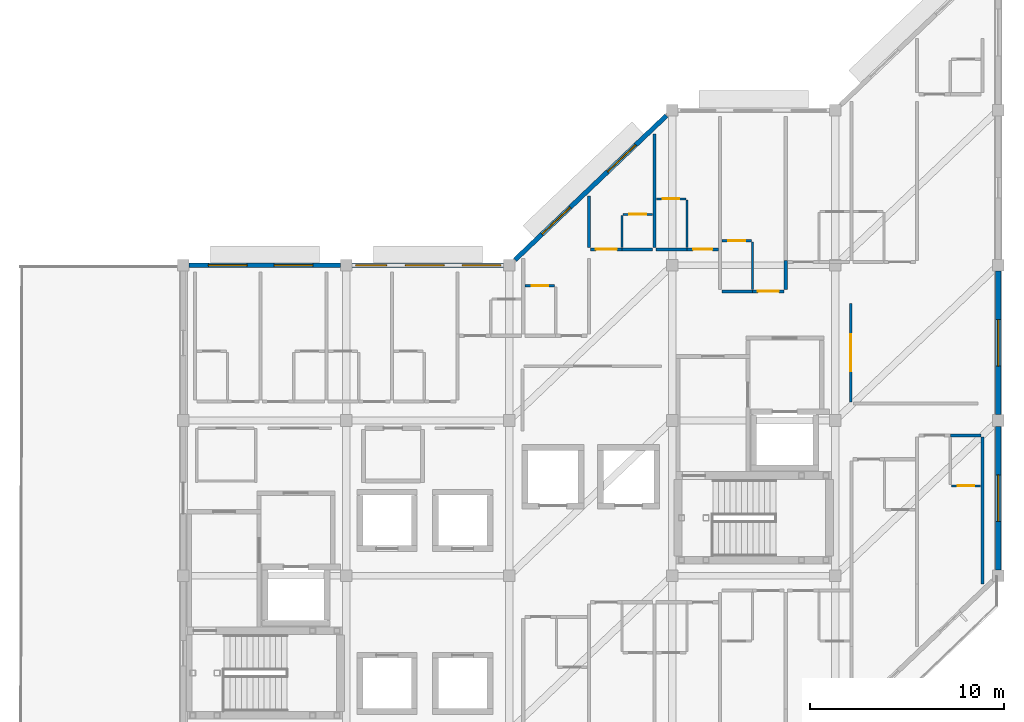
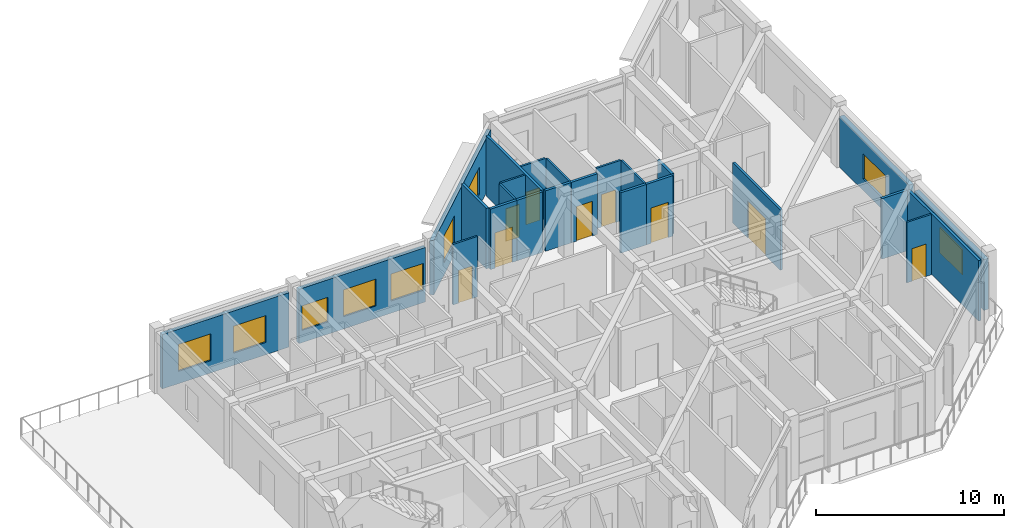
# One storey, part 9 of 13: 25 walls, 9 doors, 9 windows, 18 openings.
"""IFC4 building model written with IfcOpenShell, lengths in metres."""

from ifc_helpers import new_model, si_unit, direction, frame, frame_2d, origin, place, context, subcontext, project, spatial, rectangle, extrude, material, layer, layer_set, type_object, element, fill, save


model = new_model("IFC4")

# Units and contexts
model_context = context("Model", 3, precision=1e-05, world=origin(), true_north=direction((0.0, 1.0)))
body_context = subcontext(model_context, "Body", "Model", "MODEL_VIEW")
ifc_project = project(units=[si_unit("LENGTHUNIT", "METRE"), si_unit("AREAUNIT", "SQUARE_METRE"), si_unit("VOLUMEUNIT", "CUBIC_METRE"), si_unit("PLANEANGLEUNIT", "RADIAN"), si_unit("MASSUNIT", "GRAM", prefix="KILO")], contexts=[model_context])

# Site, building, storey
site_placement = place(None, origin())
site = spatial("IfcSite", under=ifc_project, at=site_placement, CompositionType="ELEMENT")
building_placement = place(site_placement, origin())
building = spatial("IfcBuilding", under=site, at=building_placement, Name="Naruveol Harbour Congress Hotel", CompositionType="ELEMENT")
storey_placement = place(building_placement, frame((0.0, 0.0, 43.199951171875)))
storey = spatial("IfcBuildingStorey", under=building, at=storey_placement, Name="L10", CompositionType="ELEMENT", Elevation=43.199951171875)

# Wall, opening, door
ifc_material_1 = material(Name="Acoustic Double Stud Gypsum", Category="gypsum")
ifc_layer_1 = layer(ifc_material_1, 0.139892578125)
ifc_layer_set_1 = layer_set([ifc_layer_1], Name="Acoustic Double Stud Gypsum")
wall_type_1 = type_object("IfcWallType", Name="ACOUSTIC MEETING PARTITION WALL 140", PredefinedType="PARTITIONING", material=ifc_layer_set_1)
wall_1_placement = place(storey_placement, frame((160.39990234375, 24.9599609375, 0.0), z_axis=(0.0, 0.0, 1.0), x_axis=(0.0, 1.0, 0.0)))
wall_1 = element("IfcWall", 1, at=wall_1_placement, inside=storey, type_object=wall_type_1, Name="Embassy Reception Salon west entry wall PW-140", PredefinedType="PARTITIONING", context=body_context, shape_type="SweptSolid", body=[
    extrude(rectangle(XDim=5.080078125, YDim=0.139892578125, at=frame_2d((2.5400390625, 0.0))), origin(), (0.0, 0.0, 1.0), 3.93505859375),
])
opening_1_placement = place(wall_1_placement, frame((1.590087890625, 0.0, 0.0)))
opening_1 = element("IfcOpeningElement", 2, at=opening_1_placement, cuts=wall_1, Name="Opening ID-LG-135", PredefinedType="OPENING", context=body_context, shape_type="SweptSolid", body=[
    extrude(rectangle(XDim=1.89990234375, YDim=2.39990234375, at=frame_2d((0.949951171875, 1.199951171875))), frame((0.0, 0.079833984375, 0.0), z_axis=(0.0, -1.0, 0.0), x_axis=(1.0, 0.0, 0.0)), (0.0, 0.0, 1.0), 0.159912109375),
])
ifc_material_2 = material(Name="Timber & Steel Acoustic Leaf", Category="steel")
door_type_1 = type_object("IfcDoorType", Name="RESTAURANT AND LOUNGE GLAZED DOOR 1900X2400", OperationType="DOUBLE_DOOR_SINGLE_SWING", PredefinedType="DOOR", material=ifc_material_2)
door_1_placement = place(opening_1_placement, origin())
door_1 = element("IfcDoor", 3, at=door_1_placement, inside=storey, type_object=door_type_1, Name="Embassy Reception Salon Entrance Door", OperationType="DOUBLE_DOOR_SINGLE_SWING", OverallHeight=2.39990234375, OverallWidth=1.89990234375, PredefinedType="DOOR", context=body_context, shape_type="SweptSolid", body=[
    extrude(rectangle(XDim=1.89990234375, YDim=2.39990234375, at=frame_2d((0.949951171875, 1.199951171875))), frame((0.0, 0.02490234375, 0.0), z_axis=(0.0, -1.0, 0.0), x_axis=(1.0, 0.0, 0.0)), (0.0, 0.0, 1.0), 0.050048828125),
])
fill(opening_1, door_1)

# Wall, opening, window
ifc_material_3 = material(Name="Precast concrete C40/50", Category="concrete")
ifc_layer_2 = layer(ifc_material_3, 0.280029296875)
ifc_layer_set_2 = layer_set([ifc_layer_2], Name="Precast concrete C40/50")
wall_type_2 = type_object("IfcWallType", Name="ARCHITECTURAL PRECAST FACADE WALL 280", PredefinedType="SOLIDWALL", material=ifc_layer_set_2)
wall_2_placement = place(storey_placement, frame((168.0, 31.699951171875, 0.0), z_axis=(0.0, 0.0, 1.0), x_axis=(0.0, -1.0, 0.0)))
wall_2 = element("IfcWall", 4, at=wall_2_placement, inside=storey, type_object=wall_type_2, Name="Hotel east gable wall L10 EW-280", PredefinedType="SOLIDWALL", context=body_context, shape_type="SweptSolid", body=[
    extrude(rectangle(XDim=7.39990234375, YDim=0.280029296875, at=frame_2d((3.699951171875, 0.0))), origin(), (0.0, 0.0, 1.0), 3.300048828125),
])
opening_2_placement = place(wall_2_placement, frame((2.5, 0.0, 0.75)))
opening_2 = element("IfcOpeningElement", 5, at=opening_2_placement, cuts=wall_2, Name="Opening W-07", PredefinedType="OPENING", context=body_context, shape_type="SweptSolid", body=[
    extrude(rectangle(XDim=2.39990234375, YDim=1.64990234375, at=frame_2d((1.199951171875, 0.824951171875))), frame((0.0, 0.14990234375, 0.0), z_axis=(0.0, -1.0, 0.0), x_axis=(1.0, 0.0, 0.0)), (0.0, 0.0, 1.0), 0.300048828125),
])
ifc_material_4 = material(Name="Low-E Triple Glazing in Thermal Aluminium", Category="aluminium")
window_type_1 = type_object("IfcWindowType", Name="CORNER SUITE WINDOW 2400X1650", PartitioningType="DOUBLE_PANEL_VERTICAL", PredefinedType="WINDOW", material=ifc_material_4)
window_1_placement = place(opening_2_placement, origin())
window_1 = element("IfcWindow", 6, at=window_1_placement, inside=storey, type_object=window_type_1, Name="Window W-07 #500", OverallHeight=1.64990234375, OverallWidth=2.39990234375, PartitioningType="DOUBLE_PANEL_VERTICAL", PredefinedType="WINDOW", context=body_context, shape_type="SweptSolid", body=[
    extrude(rectangle(XDim=2.39990234375, YDim=1.64990234375, at=frame_2d((1.199951171875, 0.824951171875))), frame((0.0, 0.030029296875, 0.0), z_axis=(0.0, -1.0, 0.0), x_axis=(1.0, 0.0, 0.0)), (0.0, 0.0, 1.0), 0.06005859375),
])
fill(opening_2, window_1)

wall_3_placement = place(storey_placement, frame((168.0, 23.699951171875, 0.0), z_axis=(0.0, 0.0, 1.0), x_axis=(0.0, -1.0, 0.0)))
wall_3 = element("IfcWall", 7, at=wall_3_placement, inside=storey, type_object=wall_type_2, Name="Hotel east gable wall L10 EW-280", PredefinedType="SOLIDWALL", context=body_context, shape_type="SweptSolid", body=[
    extrude(rectangle(XDim=7.39990234375, YDim=0.280029296875, at=frame_2d((3.699951171875, 0.0))), origin(), (0.0, 0.0, 1.0), 3.300048828125),
])
opening_3_placement = place(wall_3_placement, frame((2.5, 0.0, 0.75)))
opening_3 = element("IfcOpeningElement", 8, at=opening_3_placement, cuts=wall_3, Name="Opening W-07", PredefinedType="OPENING", context=body_context, shape_type="SweptSolid", body=[
    extrude(rectangle(XDim=2.39990234375, YDim=1.64990234375, at=frame_2d((1.199951171875, 0.824951171875))), frame((0.0, 0.14990234375, 0.0), z_axis=(0.0, -1.0, 0.0), x_axis=(1.0, 0.0, 0.0)), (0.0, 0.0, 1.0), 0.300048828125),
])
window_2_placement = place(opening_3_placement, origin())
window_2 = element("IfcWindow", 9, at=window_2_placement, inside=storey, type_object=window_type_1, Name="Window W-07 #501", OverallHeight=1.64990234375, OverallWidth=2.39990234375, PartitioningType="DOUBLE_PANEL_VERTICAL", PredefinedType="WINDOW", context=body_context, shape_type="SweptSolid", body=[
    extrude(rectangle(XDim=2.39990234375, YDim=1.64990234375, at=frame_2d((1.199951171875, 0.824951171875))), frame((0.0, 0.030029296875, 0.0), z_axis=(0.0, -1.0, 0.0), x_axis=(1.0, 0.0, 0.0)), (0.0, 0.0, 1.0), 0.06005859375),
])
fill(opening_3, window_2)

# Wall, opening, door
ifc_material_5 = material(Name="Moisture-Resistant Gypsum Partition", Category="gypsum")
ifc_layer_3 = layer(ifc_material_5, 0.114990234375)
ifc_layer_set_3 = layer_set([ifc_layer_3], Name="Moisture-Resistant Gypsum Partition")
wall_type_3 = type_object("IfcWallType", Name="BATHROOM MOISTURE PARTITION WALL 115", PredefinedType="PARTITIONING", material=ifc_layer_set_3)
wall_4_placement = place(storey_placement, frame((143.6201171875, 30.949951171875, 0.0), z_axis=(0.0, 0.0, 1.0), x_axis=(1.0, 0.0, 0.0)))
wall_4 = element("IfcWall", 10, at=wall_4_placement, inside=storey, type_object=wall_type_3, Name="Bathroom north wall 1198 PW-115", PredefinedType="PARTITIONING", context=body_context, shape_type="SweptSolid", body=[
    extrude(rectangle(XDim=1.509765625, YDim=0.114990234375, at=frame_2d((0.7548828125, 0.0))), origin(), (0.0, 0.0, 1.0), 3.93505859375),
])
opening_4_placement = place(wall_4_placement, frame((0.324951171875, 0.0, 0.0)))
opening_4 = element("IfcOpeningElement", 11, at=opening_4_placement, cuts=wall_4, Name="Opening BD-RM1198", PredefinedType="OPENING", context=body_context, shape_type="SweptSolid", body=[
    extrude(rectangle(XDim=0.860107421875, YDim=2.1201171875, at=frame_2d((0.43017578125, 1.06005859375))), frame((0.0, 0.0673828125, 0.0), z_axis=(0.0, -1.0, 0.0), x_axis=(1.0, 0.0, 0.0)), (0.0, 0.0, 1.0), 0.135009765625),
])
ifc_material_6 = material(Name="Timber & Steel Acoustic Leaf", Category="steel")
door_type_2 = type_object("IfcDoorType", Name="GUEST BATHROOM DOOR 860X2120", OperationType="NOTDEFINED", PredefinedType="DOOR", material=ifc_material_6)
door_2_placement = place(opening_4_placement, origin())
door_2 = element("IfcDoor", 12, at=door_2_placement, inside=storey, type_object=door_type_2, Name="Bathroom Door 1198", OperationType="SINGLE_SWING_RIGHT", OverallHeight=2.1201171875, OverallWidth=0.860107421875, PredefinedType="DOOR", context=body_context, shape_type="SweptSolid", body=[
    extrude(rectangle(XDim=0.860107421875, YDim=2.1201171875, at=frame_2d((0.43017578125, 1.06005859375))), frame((0.0, 0.02490234375, 0.0), z_axis=(0.0, -1.0, 0.0), x_axis=(1.0, 0.0, 0.0)), (0.0, 0.0, 1.0), 0.050048828125),
])
fill(opening_4, door_2)

# Wall
wall_5_placement = place(storey_placement, frame((148.610107421875, 32.909912109375, 0.0), z_axis=(0.0, 0.0, 1.0), x_axis=(0.0, 1.0, 0.0)))
element("IfcWall", 13, at=wall_5_placement, inside=storey, type_object=wall_type_3, Name="Bathroom west wall 1199 PW-115", PredefinedType="PARTITIONING", context=body_context, shape_type="SweptSolid", body=[
    extrude(rectangle(XDim=1.650146484375, YDim=0.114990234375, at=frame_2d((0.8251953125, 0.0))), origin(), (0.0, 0.0, 1.0), 3.93505859375),
])

# Wall, opening, door
wall_6_placement = place(storey_placement, frame((148.669921875, 34.6201171875, 0.0), z_axis=(0.0, 0.0, 1.0), x_axis=(1.0, 0.0, 0.0)))
wall_6 = element("IfcWall", 14, at=wall_6_placement, inside=storey, type_object=wall_type_3, Name="Bathroom north wall 1199 PW-115", PredefinedType="PARTITIONING", context=body_context, shape_type="SweptSolid", body=[
    extrude(rectangle(XDim=1.510009765625, YDim=0.114990234375, at=frame_2d((0.7548828125, 0.0))), origin(), (0.0, 0.0, 1.0), 3.93505859375),
])
opening_5_placement = place(wall_6_placement, frame((0.324951171875, 0.0, 0.0)))
opening_5 = element("IfcOpeningElement", 15, at=opening_5_placement, cuts=wall_6, Name="Opening BD-RM1199", PredefinedType="OPENING", context=body_context, shape_type="SweptSolid", body=[
    extrude(rectangle(XDim=0.860107421875, YDim=2.1201171875, at=frame_2d((0.43017578125, 1.06005859375))), frame((0.0, 0.0673828125, 0.0), z_axis=(0.0, -1.0, 0.0), x_axis=(1.0, 0.0, 0.0)), (0.0, 0.0, 1.0), 0.135009765625),
])
door_3_placement = place(opening_5_placement, origin())
door_3 = element("IfcDoor", 16, at=door_3_placement, inside=storey, type_object=door_type_2, Name="Bathroom Door 1199", OperationType="SINGLE_SWING_RIGHT", OverallHeight=2.1201171875, OverallWidth=0.860107421875, PredefinedType="DOOR", context=body_context, shape_type="SweptSolid", body=[
    extrude(rectangle(XDim=0.860107421875, YDim=2.1201171875, at=frame_2d((0.43017578125, 1.06005859375))), frame((0.0, 0.02490234375, 0.0), z_axis=(0.0, -1.0, 0.0), x_axis=(1.0, 0.0, 0.0)), (0.0, 0.0, 1.0), 0.050048828125),
])
fill(opening_5, door_3)

# Wall
wall_7_placement = place(storey_placement, frame((151.9599609375, 32.909912109375, 0.0), z_axis=(0.0, 0.0, 1.0), x_axis=(0.0, 1.0, 0.0)))
element("IfcWall", 17, at=wall_7_placement, inside=storey, type_object=wall_type_3, Name="Bathroom east wall 1100 PW-115", PredefinedType="PARTITIONING", context=body_context, shape_type="SweptSolid", body=[
    extrude(rectangle(XDim=2.4501953125, YDim=0.114990234375, at=frame_2d((1.22509765625, 0.0))), origin(), (0.0, 0.0, 1.0), 3.93505859375),
])

# Wall, opening, door
wall_8_placement = place(storey_placement, frame((150.3798828125, 35.419921875, 0.0), z_axis=(0.0, 0.0, 1.0), x_axis=(1.0, 0.0, 0.0)))
wall_8 = element("IfcWall", 18, at=wall_8_placement, inside=storey, type_object=wall_type_3, Name="Bathroom north wall 1100 PW-115", PredefinedType="PARTITIONING", context=body_context, shape_type="SweptSolid", body=[
    extrude(rectangle(XDim=1.52001953125, YDim=0.114990234375, at=frame_2d((0.760009765625, 0.0))), origin(), (0.0, 0.0, 1.0), 3.93505859375),
])
opening_6_placement = place(wall_8_placement, frame((0.330078125, 0.0, 0.0)))
opening_6 = element("IfcOpeningElement", 19, at=opening_6_placement, cuts=wall_8, Name="Opening BD-RM1100", PredefinedType="OPENING", context=body_context, shape_type="SweptSolid", body=[
    extrude(rectangle(XDim=0.860107421875, YDim=2.1201171875, at=frame_2d((0.43017578125, 1.06005859375))), frame((0.0, 0.0673828125, 0.0), z_axis=(0.0, -1.0, 0.0), x_axis=(1.0, 0.0, 0.0)), (0.0, 0.0, 1.0), 0.135009765625),
])
door_4_placement = place(opening_6_placement, origin())
door_4 = element("IfcDoor", 20, at=door_4_placement, inside=storey, type_object=door_type_2, Name="Bathroom Door 1100", OperationType="SINGLE_SWING_RIGHT", OverallHeight=2.1201171875, OverallWidth=0.860107421875, PredefinedType="DOOR", context=body_context, shape_type="SweptSolid", body=[
    extrude(rectangle(XDim=0.860107421875, YDim=2.1201171875, at=frame_2d((0.43017578125, 1.06005859375))), frame((0.0, 0.02490234375, 0.0), z_axis=(0.0, -1.0, 0.0), x_axis=(1.0, 0.0, 0.0)), (0.0, 0.0, 1.0), 0.050048828125),
])
fill(opening_6, door_4)

# Wall
wall_9_placement = place(storey_placement, frame((155.340087890625, 30.75, 0.0), z_axis=(0.0, 0.0, 1.0), x_axis=(0.0, 1.0, 0.0)))
element("IfcWall", 21, at=wall_9_placement, inside=storey, type_object=wall_type_3, Name="Bathroom east wall 1101 PW-115", PredefinedType="PARTITIONING", context=body_context, shape_type="SweptSolid", body=[
    extrude(rectangle(XDim=2.449951171875, YDim=0.114990234375, at=frame_2d((1.22509765625, 0.0))), origin(), (0.0, 0.0, 1.0), 3.93505859375),
])

# Wall, opening, door
wall_10_placement = place(storey_placement, frame((153.77001953125, 33.260009765625, 0.0), z_axis=(0.0, 0.0, 1.0), x_axis=(1.0, 0.0, 0.0)))
wall_10 = element("IfcWall", 22, at=wall_10_placement, inside=storey, type_object=wall_type_3, Name="Bathroom north wall 1101 PW-115", PredefinedType="PARTITIONING", context=body_context, shape_type="SweptSolid", body=[
    extrude(rectangle(XDim=1.510009765625, YDim=0.114990234375, at=frame_2d((0.7548828125, 0.0))), origin(), (0.0, 0.0, 1.0), 3.93505859375),
])
opening_7_placement = place(wall_10_placement, frame((0.324951171875, 0.0, 0.0)))
opening_7 = element("IfcOpeningElement", 23, at=opening_7_placement, cuts=wall_10, Name="Opening BD-RM1101", PredefinedType="OPENING", context=body_context, shape_type="SweptSolid", body=[
    extrude(rectangle(XDim=0.860107421875, YDim=2.1201171875, at=frame_2d((0.43017578125, 1.06005859375))), frame((0.0, 0.0673828125, 0.0), z_axis=(0.0, -1.0, 0.0), x_axis=(1.0, 0.0, 0.0)), (0.0, 0.0, 1.0), 0.135009765625),
])
door_5_placement = place(opening_7_placement, origin())
door_5 = element("IfcDoor", 24, at=door_5_placement, inside=storey, type_object=door_type_2, Name="Bathroom Door 1101", OperationType="SINGLE_SWING_RIGHT", OverallHeight=2.1201171875, OverallWidth=0.860107421875, PredefinedType="DOOR", context=body_context, shape_type="SweptSolid", body=[
    extrude(rectangle(XDim=0.860107421875, YDim=2.1201171875, at=frame_2d((0.43017578125, 1.06005859375))), frame((0.0, 0.02490234375, 0.0), z_axis=(0.0, -1.0, 0.0), x_axis=(1.0, 0.0, 0.0)), (0.0, 0.0, 1.0), 0.050048828125),
])
fill(opening_7, door_5)

wall_11_placement = place(storey_placement, frame((165.590087890625, 20.6298828125, 0.0), z_axis=(0.0, 0.0, 1.0), x_axis=(1.0, 0.0, 0.0)))
wall_11 = element("IfcWall", 25, at=wall_11_placement, inside=storey, type_object=wall_type_3, Name="Bathroom south wall 1192 PW-115", PredefinedType="PARTITIONING", context=body_context, shape_type="SweptSolid", body=[
    extrude(rectangle(XDim=1.510009765625, YDim=0.114990234375, at=frame_2d((0.7548828125, 0.0))), origin(), (0.0, 0.0, 1.0), 3.93505859375),
])
opening_8_placement = place(wall_11_placement, frame((0.324951171875, 0.0, 0.0)))
opening_8 = element("IfcOpeningElement", 26, at=opening_8_placement, cuts=wall_11, Name="Opening BD-RM1192", PredefinedType="OPENING", context=body_context, shape_type="SweptSolid", body=[
    extrude(rectangle(XDim=0.860107421875, YDim=2.1201171875, at=frame_2d((0.43017578125, 1.06005859375))), frame((0.0, 0.0673828125, 0.0), z_axis=(0.0, -1.0, 0.0), x_axis=(1.0, 0.0, 0.0)), (0.0, 0.0, 1.0), 0.135009765625),
])
door_6_placement = place(opening_8_placement, origin())
door_6 = element("IfcDoor", 27, at=door_6_placement, inside=storey, type_object=door_type_2, Name="Bathroom Door 1192", OperationType="SINGLE_SWING_RIGHT", OverallHeight=2.1201171875, OverallWidth=0.860107421875, PredefinedType="DOOR", context=body_context, shape_type="SweptSolid", body=[
    extrude(rectangle(XDim=0.860107421875, YDim=2.1201171875, at=frame_2d((0.43017578125, 1.06005859375))), frame((0.0, 0.02490234375, 0.0), z_axis=(0.0, -1.0, 0.0), x_axis=(1.0, 0.0, 0.0)), (0.0, 0.0, 1.0), 0.050048828125),
])
fill(opening_8, door_6)

ifc_material_7 = material(Name="Autoclaved Aerated Concrete Block", Category="concrete")
ifc_layer_4 = layer(ifc_material_7, 0.159912109375)
ifc_layer_set_4 = layer_set([ifc_layer_4], Name="Autoclaved Aerated Concrete Block")
wall_type_4 = type_object("IfcWallType", Name="HOTEL PARTY AND CORRIDOR WALL 160 EI60", PredefinedType="PARTITIONING", material=ifc_layer_set_4)
wall_12_placement = place(storey_placement, frame((146.989990234375, 32.820068359375, 0.0), z_axis=(0.0, 0.0, 1.0), x_axis=(1.0, 0.0, 0.0)))
wall_12 = element("IfcWall", 28, at=wall_12_placement, inside=storey, type_object=wall_type_4, Name="Corridor entry wall 1199 PW-160", PredefinedType="PARTITIONING", context=body_context, shape_type="SweptSolid", body=[
    extrude(rectangle(XDim=1.6201171875, YDim=0.159912109375, at=frame_2d((0.81005859375, 0.0))), origin(), (0.0, 0.0, 1.0), 3.93505859375),
])
opening_9_placement = place(wall_12_placement, frame((0.27001953125, 0.0, 0.0)))
opening_9 = element("IfcOpeningElement", 29, at=opening_9_placement, cuts=wall_12, Name="Opening FD-RM1199", PredefinedType="OPENING", context=body_context, shape_type="SweptSolid", body=[
    extrude(rectangle(XDim=1.080078125, YDim=2.300048828125, at=frame_2d((0.5400390625, 1.14990234375))), frame((0.0, 0.08984375, 0.0), z_axis=(0.0, -1.0, 0.0), x_axis=(1.0, 0.0, 0.0)), (0.0, 0.0, 1.0), 0.179931640625),
])
ifc_material_8 = material(Name="Timber & Steel Acoustic Leaf", Category="steel")
door_type_3 = type_object("IfcDoorType", Name="SUITE ENTRANCE FIRE DOOR 1080X2300", OperationType="NOTDEFINED", PredefinedType="DOOR", material=ifc_material_8)
door_7_placement = place(opening_9_placement, origin())
door_7 = element("IfcDoor", 30, at=door_7_placement, inside=storey, type_object=door_type_3, Name="Hotel Room Door 1199", OperationType="SINGLE_SWING_LEFT", OverallHeight=2.300048828125, OverallWidth=1.080078125, PredefinedType="DOOR", context=body_context, shape_type="SweptSolid", body=[
    extrude(rectangle(XDim=1.080078125, YDim=2.300048828125, at=frame_2d((0.5400390625, 1.14990234375))), frame((0.0, 0.02490234375, 0.0), z_axis=(0.0, -1.0, 0.0), x_axis=(1.0, 0.0, 0.0)), (0.0, 0.0, 1.0), 0.050048828125),
])
fill(opening_9, door_7)

# Walls
wall_13_placement = place(storey_placement, frame((148.6201171875, 32.820068359375, 0.0), z_axis=(0.0, 0.0, 1.0), x_axis=(1.0, 0.0, 0.0)))
element("IfcWall", 31, at=wall_13_placement, inside=storey, type_object=wall_type_4, Name="Corridor wall 1199B PW-160", PredefinedType="PARTITIONING", context=body_context, shape_type="SweptSolid", body=[
    extrude(rectangle(XDim=1.56982421875, YDim=0.159912109375, at=frame_2d((0.784912109375, 0.0))), origin(), (0.0, 0.0, 1.0), 3.93505859375),
])
wall_14_placement = place(storey_placement, frame((146.89990234375, 32.909912109375, 0.0), z_axis=(0.0, 0.0, 1.0), x_axis=(0.0, 1.0, 0.0)))
element("IfcWall", 32, at=wall_14_placement, inside=storey, type_object=wall_type_4, Name="Hotel party wall 1199 PW-160", PredefinedType="PARTITIONING", context=body_context, shape_type="SweptSolid", body=[
    extrude(rectangle(XDim=2.650146484375, YDim=0.159912109375, at=frame_2d((1.3251953125, 0.0))), origin(), (0.0, 0.0, 1.0), 3.93505859375),
])
wall_15_placement = place(storey_placement, frame((150.3701171875, 32.820068359375, 0.0), z_axis=(0.0, 0.0, 1.0), x_axis=(1.0, 0.0, 0.0)))
element("IfcWall", 33, at=wall_15_placement, inside=storey, type_object=wall_type_4, Name="Corridor wall 1100B PW-160", PredefinedType="PARTITIONING", context=body_context, shape_type="SweptSolid", body=[
    extrude(rectangle(XDim=1.579833984375, YDim=0.159912109375, at=frame_2d((0.7900390625, 0.0))), origin(), (0.0, 0.0, 1.0), 3.93505859375),
])

# Wall, opening, door
wall_16_placement = place(storey_placement, frame((151.9599609375, 32.820068359375, 0.0), z_axis=(0.0, 0.0, 1.0), x_axis=(1.0, 0.0, 0.0)))
wall_16 = element("IfcWall", 34, at=wall_16_placement, inside=storey, type_object=wall_type_4, Name="Corridor entry wall 1100 PW-160", PredefinedType="PARTITIONING", context=body_context, shape_type="SweptSolid", body=[
    extrude(rectangle(XDim=1.6201171875, YDim=0.159912109375, at=frame_2d((0.81005859375, 0.0))), origin(), (0.0, 0.0, 1.0), 3.93505859375),
])
opening_10_placement = place(wall_16_placement, frame((0.31005859375, 0.0, 0.0)))
opening_10 = element("IfcOpeningElement", 35, at=opening_10_placement, cuts=wall_16, Name="Opening FD-RM1100", PredefinedType="OPENING", context=body_context, shape_type="SweptSolid", body=[
    extrude(rectangle(XDim=1.0, YDim=2.25, at=frame_2d((0.5, 1.125))), frame((0.0, 0.08984375, 0.0), z_axis=(0.0, -1.0, 0.0), x_axis=(1.0, 0.0, 0.0)), (0.0, 0.0, 1.0), 0.179931640625),
])
ifc_material_9 = material(Name="Timber & Steel Acoustic Leaf", Category="steel")
door_type_4 = type_object("IfcDoorType", Name="DELUXE GUEST ENTRANCE FIRE DOOR 1000X2250", OperationType="NOTDEFINED", PredefinedType="DOOR", material=ifc_material_9)
door_8_placement = place(opening_10_placement, origin())
door_8 = element("IfcDoor", 36, at=door_8_placement, inside=storey, type_object=door_type_4, Name="Hotel Room Door 1100", OperationType="SINGLE_SWING_LEFT", OverallHeight=2.25, OverallWidth=1.0, PredefinedType="DOOR", context=body_context, shape_type="SweptSolid", body=[
    extrude(rectangle(XDim=1.0, YDim=2.25, at=frame_2d((0.5, 1.125))), frame((0.0, 0.02490234375, 0.0), z_axis=(0.0, -1.0, 0.0), x_axis=(1.0, 0.0, 0.0)), (0.0, 0.0, 1.0), 0.050048828125),
])
fill(opening_10, door_8)

# Walls
wall_17_placement = place(storey_placement, frame((150.280029296875, 32.909912109375, 0.0), z_axis=(0.0, 0.0, 1.0), x_axis=(0.0, 1.0, 0.0)))
element("IfcWall", 37, at=wall_17_placement, inside=storey, type_object=wall_type_4, Name="Hotel party wall 1100 PW-160", PredefinedType="PARTITIONING", context=body_context, shape_type="SweptSolid", body=[
    extrude(rectangle(XDim=5.8701171875, YDim=0.159912109375, at=frame_2d((2.93505859375, 0.0))), origin(), (0.0, 0.0, 1.0), 3.93505859375),
])
wall_18_placement = place(storey_placement, frame((153.760009765625, 30.659912109375, 0.0), z_axis=(0.0, 0.0, 1.0), x_axis=(1.0, 0.0, 0.0)))
element("IfcWall", 38, at=wall_18_placement, inside=storey, type_object=wall_type_4, Name="Corridor wall 1101B PW-160", PredefinedType="PARTITIONING", context=body_context, shape_type="SweptSolid", body=[
    extrude(rectangle(XDim=1.570068359375, YDim=0.159912109375, at=frame_2d((0.78515625, 0.0))), origin(), (0.0, 0.0, 1.0), 3.93505859375),
])

# Wall, opening, door
wall_19_placement = place(storey_placement, frame((155.340087890625, 30.659912109375, 0.0), z_axis=(0.0, 0.0, 1.0), x_axis=(1.0, 0.0, 0.0)))
wall_19 = element("IfcWall", 39, at=wall_19_placement, inside=storey, type_object=wall_type_4, Name="Corridor entry wall 1101 PW-160", PredefinedType="PARTITIONING", context=body_context, shape_type="SweptSolid", body=[
    extrude(rectangle(XDim=1.619873046875, YDim=0.159912109375, at=frame_2d((0.81005859375, 0.0))), origin(), (0.0, 0.0, 1.0), 3.93505859375),
])
opening_11_placement = place(wall_19_placement, frame((0.27001953125, 0.0, 0.0)))
opening_11 = element("IfcOpeningElement", 40, at=opening_11_placement, cuts=wall_19, Name="Opening FD-RM1101", PredefinedType="OPENING", context=body_context, shape_type="SweptSolid", body=[
    extrude(rectangle(XDim=1.080078125, YDim=2.300048828125, at=frame_2d((0.5400390625, 1.14990234375))), frame((0.0, 0.08984375, 0.0), z_axis=(0.0, -1.0, 0.0), x_axis=(1.0, 0.0, 0.0)), (0.0, 0.0, 1.0), 0.179931640625),
])
door_9_placement = place(opening_11_placement, origin())
door_9 = element("IfcDoor", 41, at=door_9_placement, inside=storey, type_object=door_type_3, Name="Hotel Room Door 1101", OperationType="SINGLE_SWING_LEFT", OverallHeight=2.300048828125, OverallWidth=1.080078125, PredefinedType="DOOR", context=body_context, shape_type="SweptSolid", body=[
    extrude(rectangle(XDim=1.080078125, YDim=2.300048828125, at=frame_2d((0.5400390625, 1.14990234375))), frame((0.0, 0.02490234375, 0.0), z_axis=(0.0, -1.0, 0.0), x_axis=(1.0, 0.0, 0.0)), (0.0, 0.0, 1.0), 0.050048828125),
])
fill(opening_11, door_9)

# Walls
wall_20_placement = place(storey_placement, frame((157.050048828125, 30.75, 0.0), z_axis=(0.0, 0.0, 1.0), x_axis=(0.0, 1.0, 0.0)))
element("IfcWall", 42, at=wall_20_placement, inside=storey, type_object=wall_type_4, Name="Hotel end party wall 1101 PW-160", PredefinedType="PARTITIONING", context=body_context, shape_type="SweptSolid", body=[
    extrude(rectangle(XDim=1.5, YDim=0.159912109375, at=frame_2d((0.75, 0.0))), origin(), (0.0, 0.0, 1.0), 3.93505859375),
])
wall_21_placement = place(storey_placement, frame((165.5400390625, 23.22998046875, 0.0), z_axis=(0.0, 0.0, 1.0), x_axis=(1.0, 0.0, 0.0)))
element("IfcWall", 43, at=wall_21_placement, inside=storey, type_object=wall_type_4, Name="Corridor wall 1192B PW-160", PredefinedType="PARTITIONING", context=body_context, shape_type="SweptSolid", body=[
    extrude(rectangle(XDim=1.570068359375, YDim=0.159912109375, at=frame_2d((0.78515625, 0.0))), origin(), (0.0, 0.0, 1.0), 3.93505859375),
])
wall_22_placement = place(storey_placement, frame((167.199951171875, 15.580078125, 0.0), z_axis=(0.0, 0.0, 1.0), x_axis=(0.0, 1.0, 0.0)))
element("IfcWall", 44, at=wall_22_placement, inside=storey, type_object=wall_type_4, Name="Hotel end party wall 1192 PW-160", PredefinedType="PARTITIONING", context=body_context, shape_type="SweptSolid", body=[
    extrude(rectangle(XDim=7.559814453125, YDim=0.159912109375, at=frame_2d((3.77978515625, 0.0))), origin(), (0.0, 0.0, 1.0), 3.93505859375),
])

# Wall, openings, windows
ifc_material_10 = material(Name="Concrete C40/50", Category="concrete")
ifc_layer_5 = layer(ifc_material_10, 0.239990234375)
ifc_layer_set_5 = layer_set([ifc_layer_5], Name="Concrete C40/50")
wall_type_5 = type_object("IfcWallType", Name="INSULATED HOTEL SPANDREL WALL 240", PredefinedType="SOLIDWALL", material=ifc_layer_set_5)
wall_23_placement = place(storey_placement, frame((126.300048828125, 32.0, 0.0), z_axis=(0.0, 0.0, 1.0), x_axis=(1.0, 0.0, 0.0)))
wall_23 = element("IfcWall", 45, at=wall_23_placement, inside=storey, type_object=wall_type_5, Name="Hotel north bay wall L10 EW-240", PredefinedType="SOLIDWALL", context=body_context, shape_type="SweptSolid", body=[
    extrude(rectangle(XDim=7.800048828125, YDim=0.239990234375, at=frame_2d((3.89990234375, 0.0))), origin(), (0.0, 0.0, 1.0), 3.5400390625),
])
opening_12_placement = place(wall_23_placement, frame((0.989990234375, 0.0, 0.800048828125)))
opening_12 = element("IfcOpeningElement", 46, at=opening_12_placement, cuts=wall_23, Name="Opening W-05", PredefinedType="OPENING", context=body_context, shape_type="SweptSolid", body=[
    extrude(rectangle(XDim=2.0, YDim=1.75, at=frame_2d((1.0, 0.875))), frame((0.0, 0.1298828125, 0.0), z_axis=(0.0, -1.0, 0.0), x_axis=(1.0, 0.0, 0.0)), (0.0, 0.0, 1.0), 0.260009765625),
])
opening_13_placement = place(wall_23_placement, frame((4.375, 0.0, 0.800048828125)))
opening_13 = element("IfcOpeningElement", 47, at=opening_13_placement, cuts=wall_23, Name="Opening W-05", PredefinedType="OPENING", context=body_context, shape_type="SweptSolid", body=[
    extrude(rectangle(XDim=2.0, YDim=1.75, at=frame_2d((1.0, 0.875))), frame((0.0, 0.1298828125, 0.0), z_axis=(0.0, -1.0, 0.0), x_axis=(1.0, 0.0, 0.0)), (0.0, 0.0, 1.0), 0.260009765625),
])
ifc_material_11 = material(Name="Low-E Triple Glazing in Thermal Aluminium", Category="aluminium")
window_type_2 = type_object("IfcWindowType", Name="GARDEN SUITE WINDOW 2000X1750", PartitioningType="DOUBLE_PANEL_VERTICAL", PredefinedType="WINDOW", material=ifc_material_11)
window_3_placement = place(opening_12_placement, origin())
window_3 = element("IfcWindow", 48, at=window_3_placement, inside=storey, type_object=window_type_2, Name="Window W-05 #480", OverallHeight=1.75, OverallWidth=2.0, PartitioningType="DOUBLE_PANEL_VERTICAL", PredefinedType="WINDOW", context=body_context, shape_type="SweptSolid", body=[
    extrude(rectangle(XDim=2.0, YDim=1.75, at=frame_2d((1.0, 0.875))), frame((0.0, 0.030029296875, 0.0), z_axis=(0.0, -1.0, 0.0), x_axis=(1.0, 0.0, 0.0)), (0.0, 0.0, 1.0), 0.06005859375),
])
fill(opening_12, window_3)
window_4_placement = place(opening_13_placement, origin())
window_4 = element("IfcWindow", 49, at=window_4_placement, inside=storey, type_object=window_type_2, Name="Window W-05 #481", OverallHeight=1.75, OverallWidth=2.0, PartitioningType="DOUBLE_PANEL_VERTICAL", PredefinedType="WINDOW", context=body_context, shape_type="SweptSolid", body=[
    extrude(rectangle(XDim=2.0, YDim=1.75, at=frame_2d((1.0, 0.875))), frame((0.0, 0.030029296875, 0.0), z_axis=(0.0, -1.0, 0.0), x_axis=(1.0, 0.0, 0.0)), (0.0, 0.0, 1.0), 0.06005859375),
])
fill(opening_13, window_4)

wall_24_placement = place(storey_placement, frame((134.699951171875, 32.0, 0.0), z_axis=(0.0, 0.0, 1.0), x_axis=(1.0, 0.0, 0.0)))
wall_24 = element("IfcWall", 50, at=wall_24_placement, inside=storey, type_object=wall_type_5, Name="Hotel north bay wall L10 EW-240", PredefinedType="SOLIDWALL", context=body_context, shape_type="SweptSolid", body=[
    extrude(rectangle(XDim=7.800048828125, YDim=0.239990234375, at=frame_2d((3.89990234375, 0.0))), origin(), (0.0, 0.0, 1.0), 3.5400390625),
])
opening_14_placement = place(wall_24_placement, frame((0.175048828125, 0.0, 0.800048828125)))
opening_14 = element("IfcOpeningElement", 51, at=opening_14_placement, cuts=wall_24, Name="Opening W-03", PredefinedType="OPENING", context=body_context, shape_type="SweptSolid", body=[
    extrude(rectangle(XDim=1.60009765625, YDim=1.60009765625, at=frame_2d((0.800048828125, 0.800048828125))), frame((0.0, 0.1298828125, 0.0), z_axis=(0.0, -1.0, 0.0), x_axis=(1.0, 0.0, 0.0)), (0.0, 0.0, 1.0), 0.260009765625),
])
opening_15_placement = place(wall_24_placement, frame((2.739990234375, 0.0, 0.800048828125)))
opening_15 = element("IfcOpeningElement", 52, at=opening_15_placement, cuts=wall_24, Name="Opening W-05", PredefinedType="OPENING", context=body_context, shape_type="SweptSolid", body=[
    extrude(rectangle(XDim=2.0, YDim=1.75, at=frame_2d((1.0, 0.875))), frame((0.0, 0.1298828125, 0.0), z_axis=(0.0, -1.0, 0.0), x_axis=(1.0, 0.0, 0.0)), (0.0, 0.0, 1.0), 0.260009765625),
])
opening_16_placement = place(wall_24_placement, frame((5.6650390625, 0.0, 0.800048828125)))
opening_16 = element("IfcOpeningElement", 53, at=opening_16_placement, cuts=wall_24, Name="Opening W-05", PredefinedType="OPENING", context=body_context, shape_type="SweptSolid", body=[
    extrude(rectangle(XDim=2.0, YDim=1.75, at=frame_2d((1.0, 0.875))), frame((0.0, 0.1298828125, 0.0), z_axis=(0.0, -1.0, 0.0), x_axis=(1.0, 0.0, 0.0)), (0.0, 0.0, 1.0), 0.260009765625),
])
ifc_material_12 = material(Name="Low-E Triple Glazing in Thermal Aluminium", Category="aluminium")
window_type_3 = type_object("IfcWindowType", Name="DELUXE GUEST WINDOW 1600X1600", PartitioningType="SINGLE_PANEL", PredefinedType="WINDOW", material=ifc_material_12)
window_5_placement = place(opening_14_placement, origin())
window_5 = element("IfcWindow", 54, at=window_5_placement, inside=storey, type_object=window_type_3, Name="Window W-03 #484", OverallHeight=1.60009765625, OverallWidth=1.60009765625, PartitioningType="SINGLE_PANEL", PredefinedType="WINDOW", context=body_context, shape_type="SweptSolid", body=[
    extrude(rectangle(XDim=1.60009765625, YDim=1.60009765625, at=frame_2d((0.800048828125, 0.800048828125))), frame((0.0, 0.030029296875, 0.0), z_axis=(0.0, -1.0, 0.0), x_axis=(1.0, 0.0, 0.0)), (0.0, 0.0, 1.0), 0.06005859375),
])
fill(opening_14, window_5)
window_6_placement = place(opening_15_placement, origin())
window_6 = element("IfcWindow", 55, at=window_6_placement, inside=storey, type_object=window_type_2, Name="Window W-05 #485", OverallHeight=1.75, OverallWidth=2.0, PartitioningType="DOUBLE_PANEL_VERTICAL", PredefinedType="WINDOW", context=body_context, shape_type="SweptSolid", body=[
    extrude(rectangle(XDim=2.0, YDim=1.75, at=frame_2d((1.0, 0.875))), frame((0.0, 0.030029296875, 0.0), z_axis=(0.0, -1.0, 0.0), x_axis=(1.0, 0.0, 0.0)), (0.0, 0.0, 1.0), 0.06005859375),
])
fill(opening_15, window_6)
window_7_placement = place(opening_16_placement, origin())
window_7 = element("IfcWindow", 56, at=window_7_placement, inside=storey, type_object=window_type_2, Name="Window W-05 #486", OverallHeight=1.75, OverallWidth=2.0, PartitioningType="DOUBLE_PANEL_VERTICAL", PredefinedType="WINDOW", context=body_context, shape_type="SweptSolid", body=[
    extrude(rectangle(XDim=2.0, YDim=1.75, at=frame_2d((1.0, 0.875))), frame((0.0, 0.030029296875, 0.0), z_axis=(0.0, -1.0, 0.0), x_axis=(1.0, 0.0, 0.0)), (0.0, 0.0, 1.0), 0.06005859375),
])
fill(opening_16, window_7)

wall_25_placement = place(storey_placement, frame((143.10009765625, 32.285888671875, 0.0), z_axis=(0.0, 0.0, 1.0), x_axis=(0.724145477467, 0.689647248573, 0.0)))
wall_25 = element("IfcWall", 57, at=wall_25_placement, inside=storey, type_object=wall_type_5, Name="Hotel north bay wall L10 EW-240", PredefinedType="SOLIDWALL", context=body_context, shape_type="SweptSolid", body=[
    extrude(rectangle(XDim=10.77099609375, YDim=0.239990234375, at=frame_2d((5.385498046875, 0.0))), origin(), (0.0, 0.0, 1.0), 3.5400390625),
])
opening_17_placement = place(wall_25_placement, frame((1.9140625, 0.0, 0.800048828125)))
opening_17 = element("IfcOpeningElement", 58, at=opening_17_placement, cuts=wall_25, Name="Opening W-05", PredefinedType="OPENING", context=body_context, shape_type="SweptSolid", body=[
    extrude(rectangle(XDim=2.0, YDim=1.75, at=frame_2d((1.0, 0.875))), frame((0.0, 0.1298828125, 0.0), z_axis=(0.0, -1.0, 0.0), x_axis=(1.0, 0.0, 0.0)), (0.0, 0.0, 1.0), 0.260009765625),
])
opening_18_placement = place(wall_25_placement, frame((6.5810546875, 0.0, 0.800048828125)))
opening_18 = element("IfcOpeningElement", 59, at=opening_18_placement, cuts=wall_25, Name="Opening W-05", PredefinedType="OPENING", context=body_context, shape_type="SweptSolid", body=[
    extrude(rectangle(XDim=2.0, YDim=1.75, at=frame_2d((1.0, 0.875))), frame((0.0, 0.1298828125, 0.0), z_axis=(0.0, -1.0, 0.0), x_axis=(1.0, 0.0, 0.0)), (0.0, 0.0, 1.0), 0.260009765625),
])
window_8_placement = place(opening_17_placement, origin())
window_8 = element("IfcWindow", 60, at=window_8_placement, inside=storey, type_object=window_type_2, Name="Window W-05 #488", OverallHeight=1.75, OverallWidth=2.0, PartitioningType="DOUBLE_PANEL_VERTICAL", PredefinedType="WINDOW", context=body_context, shape_type="SweptSolid", body=[
    extrude(rectangle(XDim=2.0, YDim=1.75, at=frame_2d((1.0, 0.875))), frame((0.0, 0.030029296875, 0.0), z_axis=(0.0, -1.0, 0.0), x_axis=(1.0, 0.0, 0.0)), (0.0, 0.0, 1.0), 0.06005859375),
])
fill(opening_17, window_8)
window_9_placement = place(opening_18_placement, origin())
window_9 = element("IfcWindow", 61, at=window_9_placement, inside=storey, type_object=window_type_2, Name="Window W-05 #489", OverallHeight=1.75, OverallWidth=2.0, PartitioningType="DOUBLE_PANEL_VERTICAL", PredefinedType="WINDOW", context=body_context, shape_type="SweptSolid", body=[
    extrude(rectangle(XDim=2.0, YDim=1.75, at=frame_2d((1.0, 0.875))), frame((0.0, 0.030029296875, 0.0), z_axis=(0.0, -1.0, 0.0), x_axis=(1.0, 0.0, 0.0)), (0.0, 0.0, 1.0), 0.06005859375),
])
fill(opening_18, window_9)

save(model, "model.ifc")
